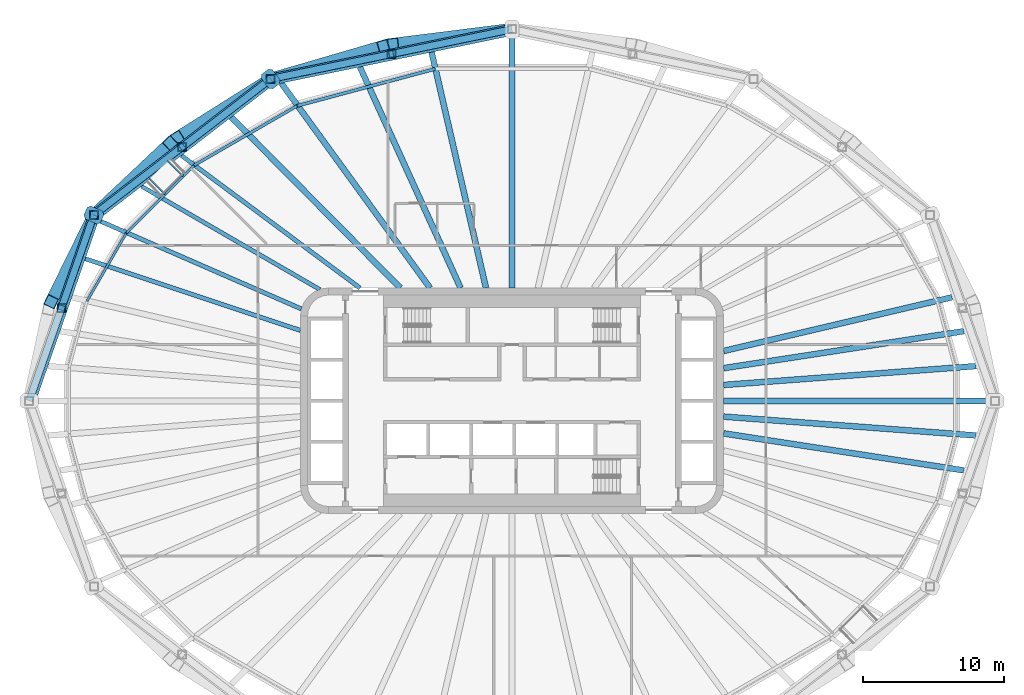
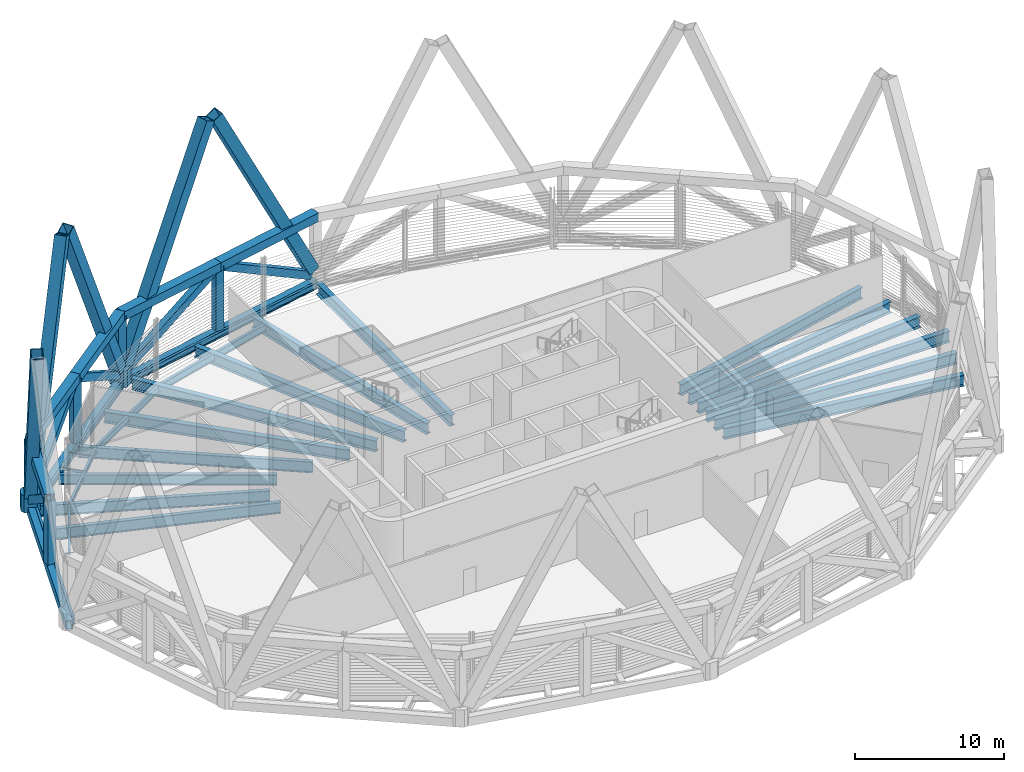
# One storey, part 3 of 18: 27 beams, 22 members.
"""IFC4 building model written with IfcOpenShell, lengths in metres."""

from ifc_helpers import new_model, si_unit, direction, frame, origin, origin_2d, place, context, subcontext, project, spatial, polyline, hollow_rectangle, i_section, outline, extrude, material, material_profile, profile_set, type_object, element, save


model = new_model("IFC4")

# Units and contexts
model_context = context("Model", 3, precision=1e-05, world=origin(), true_north=direction((0.0, 1.0)))
body_context = subcontext(model_context, "Body", "Model", "MODEL_VIEW")
ifc_project = project(units=[si_unit("LENGTHUNIT", "METRE"), si_unit("AREAUNIT", "SQUARE_METRE"), si_unit("VOLUMEUNIT", "CUBIC_METRE"), si_unit("PLANEANGLEUNIT", "RADIAN"), si_unit("MASSUNIT", "GRAM", prefix="KILO")], contexts=[model_context])

# Site, building, storey
site_placement = place(None, origin())
site = spatial("IfcSite", under=ifc_project, at=site_placement, CompositionType="ELEMENT")
building_placement = place(site_placement, origin())
building = spatial("IfcBuilding", under=site, at=building_placement, Name="Sahrelin Media Tower", CompositionType="ELEMENT")
storey_placement = place(building_placement, frame((0.0, 0.0, 148.199951171875)))
storey = spatial("IfcBuildingStorey", under=building, at=storey_placement, Name="L30", CompositionType="ELEMENT", Elevation=148.199951171875)

# Members
ifc_material_1 = material(Name="Steel S460", Category="steel")
ifc_material_profile_1 = material_profile(ifc_material_1, hollow_rectangle(XDim=0.699951171875, YDim=0.699951171875, WallThickness=0.044921875, at=origin_2d()), Name="Belt truss chord BC")
ifc_profile_set_1 = profile_set([ifc_material_profile_1], Name="Steel S460")
member_type_1 = type_object("IfcMemberType", Name="Belt truss chord BC", PredefinedType="CHORD", material=ifc_profile_set_1)
for number, where, z_axis, x_axis, name in (
    (1, (0.0, 26.345703125, 4.900146484375), (-0.979386210613, -0.20199665953, 0.0), (0.20199665953, -0.979386210613, 0.0), "Belt truss member BT06-03-T1"),
    (2, (-8.55712890625, 24.580810546875, 4.900146484375), (-0.979386210613, -0.20199665953, 0.0), (0.20199665953, -0.979386210613, 0.0), "Belt truss member BT06-03-T2"),
):
    element("IfcMember", number, at=place(storey_placement, frame(where, z_axis=z_axis, x_axis=x_axis)), inside=storey, type_object=member_type_1, Name=name, PredefinedType="CHORD", context=body_context, shape_type="SweptSolid", body=[
        extrude(hollow_rectangle(XDim=0.699951171875, YDim=0.699951171875, WallThickness=0.044921875, at=origin_2d()), origin(), (0.0, 0.0, 1.0), 8.7373046875),
    ])
member_1_placement = place(storey_placement, frame((-17.1142578125, 22.81591796875, 4.900146484375), z_axis=(-0.792455186877, -0.609930140911, 0.0), x_axis=(0.609930140911, -0.792455186877, 0.0)))
element("IfcMember", 3, at=member_1_placement, inside=storey, type_object=member_type_1, Name="Belt truss member BT06-04-T1", PredefinedType="CHORD", context=body_context, shape_type="SweptSolid", body=[
    extrude(hollow_rectangle(XDim=0.699951171875, YDim=0.699951171875, WallThickness=0.044921875, at=origin_2d()), origin(), (0.0, 0.0, 1.0), 7.905029296875),
])
member_2_placement = place(storey_placement, frame((-23.378662109375, 17.994384765625, 4.900146484375), z_axis=(-0.792443697113, -0.609945068761, 0.0), x_axis=(0.609945068761, -0.792443697113, 0.0)))
element("IfcMember", 4, at=member_2_placement, inside=storey, type_object=member_type_1, Name="Belt truss member BT06-04-T2", PredefinedType="CHORD", context=body_context, shape_type="SweptSolid", body=[
    extrude(hollow_rectangle(XDim=0.699951171875, YDim=0.699951171875, WallThickness=0.044921875, at=origin_2d()), origin(), (0.0, 0.0, 1.0), 7.90478515625),
])
member_3_placement = place(storey_placement, frame((-29.642822265625, 13.1728515625, 4.900146484375), z_axis=(-0.328781301843, -0.944406086151, 0.0), x_axis=(0.944406086151, -0.328781301843, 0.0)))
element("IfcMember", 5, at=member_3_placement, inside=storey, type_object=member_type_1, Name="Belt truss member BT06-05-T1", PredefinedType="CHORD", context=body_context, shape_type="SweptSolid", body=[
    extrude(hollow_rectangle(XDim=0.699951171875, YDim=0.699951171875, WallThickness=0.044921875, at=origin_2d()), origin(), (0.0, 0.0, 1.0), 6.97412109375),
])
ifc_material_profile_2 = material_profile(ifc_material_1, hollow_rectangle(XDim=0.5, YDim=0.60009765625, WallThickness=0.030029296875, at=origin_2d()), Name="Belt truss diagonal BD")
ifc_profile_set_2 = profile_set([ifc_material_profile_2], Name="Steel S460")
member_type_2 = type_object("IfcMemberType", Name="Belt truss diagonal BD", PredefinedType="BRACE", material=ifc_profile_set_2)
member_4_placement = place(storey_placement, frame((-0.5, 26.24267578125, 0.286376953125), z_axis=(-0.854217177148, -0.176191028569, 0.489152057868), x_axis=(0.202007941811, -0.979383883595, 0.0)))
element("IfcMember", 6, at=member_4_placement, inside=storey, type_object=member_type_2, Name="Belt truss member BT06-03-X1", PredefinedType="BRACE", context=body_context, shape_type="SweptSolid", body=[
    extrude(hollow_rectangle(XDim=0.5, YDim=0.60009765625, WallThickness=0.030029296875, at=origin_2d()), origin(), (0.0, 0.0, 1.0), 9.43212890625),
])
member_5_placement = place(storey_placement, frame((-16.572998046875, 22.927490234375, 0.31005859375), z_axis=(0.854220181394, 0.17618795323, 0.489147919178), x_axis=(-0.20200387828, 0.979384721731, 0.0)))
element("IfcMember", 7, at=member_5_placement, inside=storey, type_object=member_type_2, Name="Belt truss member BT06-03-X2", PredefinedType="BRACE", context=body_context, shape_type="SweptSolid", body=[
    extrude(hollow_rectangle(XDim=0.5, YDim=0.60009765625, WallThickness=0.030029296875, at=origin_2d()), origin(), (0.0, 0.0, 1.0), 9.3837890625),
])
member_6_placement = place(storey_placement, frame((-17.510498046875, 22.510986328125, 0.31005859375), z_axis=(-0.673550356599, -0.518417440385, 0.526852232253), x_axis=(0.609933801011, -0.792452369789, 0.0)))
element("IfcMember", 8, at=member_6_placement, inside=storey, type_object=member_type_2, Name="Belt truss member BT06-04-X1", PredefinedType="BRACE", context=body_context, shape_type="SweptSolid", body=[
    extrude(hollow_rectangle(XDim=0.5, YDim=0.60009765625, WallThickness=0.030029296875, at=origin_2d()), origin(), (0.0, 0.0, 1.0), 8.71240234375),
])
member_7_placement = place(storey_placement, frame((-29.192138671875, 13.519775390625, 0.3525390625), z_axis=(0.673534148891, 0.51841650768, 0.526873869956), x_axis=(-0.609942328801, 0.792445806057, 0.0)))
element("IfcMember", 9, at=member_7_placement, inside=storey, type_object=member_type_2, Name="Belt truss member BT06-04-X2", PredefinedType="BRACE", context=body_context, shape_type="SweptSolid", body=[
    extrude(hollow_rectangle(XDim=0.5, YDim=0.60009765625, WallThickness=0.030029296875, at=origin_2d()), origin(), (0.0, 0.0, 1.0), 8.63134765625),
])
member_8_placement = place(storey_placement, frame((-29.807861328125, 12.69921875, 0.3525390625), z_axis=(-0.269002707075, -0.772750089461, 0.574886808706), x_axis=(0.944413313299, -0.328760541525, 0.0)))
element("IfcMember", 10, at=member_8_placement, inside=storey, type_object=member_type_2, Name="Belt truss member BT06-05-X1", PredefinedType="BRACE", context=body_context, shape_type="SweptSolid", body=[
    extrude(hollow_rectangle(XDim=0.5, YDim=0.60009765625, WallThickness=0.030029296875, at=origin_2d()), origin(), (0.0, 0.0, 1.0), 7.910400390625),
])
ifc_material_profile_3 = material_profile(ifc_material_1, hollow_rectangle(XDim=0.60009765625, YDim=0.60009765625, WallThickness=0.034912109375, at=origin_2d()), Name="Belt truss post BP")
ifc_profile_set_3 = profile_set([ifc_material_profile_3], Name="Steel S460")
member_type_3 = type_object("IfcMemberType", Name="Belt truss post BP", PredefinedType="POST", material=ifc_profile_set_3)
member_9_placement = place(storey_placement, frame((-8.55712890625, 24.580810546875, -0.320068359375), z_axis=(0.0, 0.0, 1.0), x_axis=(1.0, 0.0, 0.0)))
element("IfcMember", 11, at=member_9_placement, inside=storey, type_object=member_type_3, Name="Belt truss member BT06-03-P1", PredefinedType="POST", context=body_context, shape_type="SweptSolid", body=[
    extrude(hollow_rectangle(XDim=0.60009765625, YDim=0.60009765625, WallThickness=0.034912109375, at=origin_2d()), origin(), (0.0, 0.0, 1.0), 5.22021484375),
])
member_10_placement = place(storey_placement, frame((-17.1142578125, 22.81591796875, 0.699951171875), z_axis=(0.0, 0.0, 1.0), x_axis=(1.0, 0.0, 0.0)))
element("IfcMember", 12, at=member_10_placement, inside=storey, type_object=member_type_3, Name="Belt truss member BT06-04-P0", PredefinedType="POST", context=body_context, shape_type="SweptSolid", body=[
    extrude(hollow_rectangle(XDim=0.60009765625, YDim=0.60009765625, WallThickness=0.034912109375, at=origin_2d()), origin(), (0.0, 0.0, 1.0), 4.2001953125),
])
member_11_placement = place(storey_placement, frame((-23.378662109375, 17.994384765625, -0.320068359375), z_axis=(0.0, 0.0, 1.0), x_axis=(1.0, 0.0, 0.0)))
element("IfcMember", 13, at=member_11_placement, inside=storey, type_object=member_type_3, Name="Belt truss member BT06-04-P1", PredefinedType="POST", context=body_context, shape_type="SweptSolid", body=[
    extrude(hollow_rectangle(XDim=0.60009765625, YDim=0.60009765625, WallThickness=0.034912109375, at=origin_2d()), origin(), (0.0, 0.0, 1.0), 5.22021484375),
])
member_12_placement = place(storey_placement, frame((-29.642822265625, 13.1728515625, 0.699951171875), z_axis=(0.0, 0.0, 1.0), x_axis=(1.0, 0.0, 0.0)))
element("IfcMember", 14, at=member_12_placement, inside=storey, type_object=member_type_3, Name="Belt truss member BT06-05-P0", PredefinedType="POST", context=body_context, shape_type="SweptSolid", body=[
    extrude(hollow_rectangle(XDim=0.60009765625, YDim=0.60009765625, WallThickness=0.034912109375, at=origin_2d()), origin(), (0.0, 0.0, 1.0), 4.2001953125),
])
member_13_placement = place(storey_placement, frame((-31.935791015625, 6.58642578125, -0.320068359375), z_axis=(0.0, 0.0, 1.0), x_axis=(1.0, 0.0, 0.0)))
element("IfcMember", 15, at=member_13_placement, inside=storey, type_object=member_type_3, Name="Belt truss member BT06-05-P1", PredefinedType="POST", context=body_context, shape_type="SweptSolid", body=[
    extrude(hollow_rectangle(XDim=0.60009765625, YDim=0.60009765625, WallThickness=0.034912109375, at=origin_2d()), origin(), (0.0, 0.0, 1.0), 5.22021484375),
])
ifc_material_profile_4 = material_profile(ifc_material_1, hollow_rectangle(XDim=0.85009765625, YDim=0.85009765625, WallThickness=0.044921875, at=origin_2d()), Name="Diagrid diagonal DG4")
ifc_profile_set_4 = profile_set([ifc_material_profile_4], Name="Steel S460")
member_type_4 = type_object("IfcMemberType", Name="Diagrid diagonal DG4", PredefinedType="BRACE", material=ifc_profile_set_4)
member_14_placement = place(storey_placement, frame((-0.353515625, 26.30126953125, 0.699951171875), z_axis=(-0.45007404316, -0.056529528278, 0.891200184081), x_axis=(0.124621372618, -0.992204370826, 0.0)))
element("IfcMember", 16, at=member_14_placement, inside=storey, type_object=member_type_4, Name="Diagrid diagonal D06-06", PredefinedType="BRACE", context=body_context, shape_type="SweptSolid", body=[
    extrude(hollow_rectangle(XDim=0.85009765625, YDim=0.85009765625, WallThickness=0.044921875, at=origin_2d()), origin(), (0.0, 0.0, 1.0), 17.953369140625),
])
member_15_placement = place(storey_placement, frame((-16.779296875, 22.91357421875, 0.699951171875), z_axis=(0.428302446582, 0.124777586788, 0.894979088072), x_axis=(-0.279702584075, 0.960086696326, 0.0)))
element("IfcMember", 17, at=member_15_placement, inside=storey, type_object=member_type_4, Name="Diagrid diagonal D06-07", PredefinedType="BRACE", context=body_context, shape_type="SweptSolid", body=[
    extrude(hollow_rectangle(XDim=0.85009765625, YDim=0.85009765625, WallThickness=0.044921875, at=origin_2d()), origin(), (0.0, 0.0, 1.0), 17.87744140625),
])
member_16_placement = place(storey_placement, frame((-17.3916015625, 22.6416015625, 0.699951171875), z_axis=(-0.358790983569, -0.225788733131, 0.905697785192), x_axis=(0.532616119089, -0.846356939882, 0.0)))
element("IfcMember", 18, at=member_16_placement, inside=storey, type_object=member_type_4, Name="Diagrid diagonal D06-08", PredefinedType="BRACE", context=body_context, shape_type="SweptSolid", body=[
    extrude(hollow_rectangle(XDim=0.85009765625, YDim=0.85009765625, WallThickness=0.044921875, at=origin_2d()), origin(), (0.0, 0.0, 1.0), 17.666015625),
])
member_17_placement = place(storey_placement, frame((-29.416259765625, 13.38623046875, 0.699951171875), z_axis=(0.295925654964, 0.278596172767, 0.913680567405), x_axis=(-0.685466340944, 0.728104316313, 0.0)))
element("IfcMember", 19, at=member_17_placement, inside=storey, type_object=member_type_4, Name="Diagrid diagonal D06-09", PredefinedType="BRACE", context=body_context, shape_type="SweptSolid", body=[
    extrude(hollow_rectangle(XDim=0.85009765625, YDim=0.85009765625, WallThickness=0.044921875, at=origin_2d()), origin(), (0.0, 0.0, 1.0), 17.511474609375),
])
member_18_placement = place(storey_placement, frame((-29.769775390625, 12.9150390625, 0.699951171875), z_axis=(-0.167569441572, -0.340756997688, 0.925097373674), x_axis=(0.897366617506, -0.44128579604, 0.0)))
element("IfcMember", 20, at=member_18_placement, inside=storey, type_object=member_type_4, Name="Diagrid diagonal D06-10", PredefinedType="BRACE", context=body_context, shape_type="SweptSolid", body=[
    extrude(hollow_rectangle(XDim=0.85009765625, YDim=0.85009765625, WallThickness=0.044921875, at=origin_2d()), origin(), (0.0, 0.0, 1.0), 17.29541015625),
])
ifc_material_profile_5 = material_profile(ifc_material_1, outline(polyline([(0.449951171875, -0.5), (0.64990234375, -0.300048828125), (0.64990234375, 0.300048828125), (0.449951171875, 0.5), (-0.449951171875, 0.5), (-0.64990234375, 0.300048828125), (-0.64990234375, -0.300048828125), (-0.449951171875, -0.5), (0.449951171875, -0.5)])), Name="Diagrid node block 1300")
ifc_profile_set_5 = profile_set([ifc_material_profile_5], Name="Steel S460")
member_type_5 = type_object("IfcMemberType", Name="Diagrid node block 1300", PredefinedType="USERDEFINED", material=ifc_profile_set_5)
for number, where, z_axis, x_axis, name in (
    (21, (-17.1142578125, 22.81591796875, -0.699951171875), (0.0, 0.0, 1.0), (-0.600051693363, 0.799961227368, 0.0), "Diagrid node N06-04"),
    (22, (-29.642822265625, 13.1728515625, -0.699951171875), (0.0, 0.0, 1.0), (-0.913831317054, 0.40609398416, 0.0), "Diagrid node N06-05"),
):
    element("IfcMember", number, at=place(storey_placement, frame(where, z_axis=z_axis, x_axis=x_axis)), inside=storey, type_object=member_type_5, Name=name, ObjectType="NODE", PredefinedType="USERDEFINED", context=body_context, shape_type="SweptSolid", body=[
        extrude(outline(polyline([(0.449951171875, -0.5), (0.64990234375, -0.300048828125), (0.64990234375, 0.300048828125), (0.449951171875, 0.5), (-0.449951171875, 0.5), (-0.64990234375, 0.300048828125), (-0.64990234375, -0.300048828125), (-0.449951171875, -0.5), (0.449951171875, -0.5)])), origin(), (0.0, 0.0, 1.0), 1.39990234375),
    ])

# Beams
ifc_material_profile_6 = material_profile(ifc_material_1, hollow_rectangle(XDim=0.5, YDim=0.699951171875, WallThickness=0.034912109375, at=origin_2d()), Name="Diagrid ring beam RB2")
ifc_profile_set_6 = profile_set([ifc_material_profile_6], Name="Steel S460")
beam_type_1 = type_object("IfcBeamType", Name="Diagrid ring beam RB2", PredefinedType="BEAM", material=ifc_profile_set_6)
beam_1_placement = place(storey_placement, frame((0.0, 26.345703125, -0.64990234375), z_axis=(-0.979386210613, -0.20199665953, 0.0), x_axis=(0.20199665953, -0.979386210613, 0.0)))
element("IfcBeam", 23, at=beam_1_placement, inside=storey, type_object=beam_type_1, Name="Diagrid ring beam RB06-03", PredefinedType="BEAM", context=body_context, shape_type="SweptSolid", body=[
    extrude(hollow_rectangle(XDim=0.5, YDim=0.699951171875, WallThickness=0.034912109375, at=origin_2d()), origin(), (0.0, 0.0, 1.0), 17.474365234375),
])
beam_2_placement = place(storey_placement, frame((-17.1142578125, 22.81591796875, -0.64990234375), z_axis=(-0.7924494421, -0.609937604772, 0.0), x_axis=(0.609937604772, -0.7924494421, 0.0)))
element("IfcBeam", 24, at=beam_2_placement, inside=storey, type_object=beam_type_1, Name="Diagrid ring beam RB06-04", PredefinedType="BEAM", context=body_context, shape_type="SweptSolid", body=[
    extrude(hollow_rectangle(XDim=0.5, YDim=0.699951171875, WallThickness=0.034912109375, at=origin_2d()), origin(), (0.0, 0.0, 1.0), 15.809814453125),
])
beam_3_placement = place(storey_placement, frame((-29.642822265625, 13.1728515625, -0.64990234375), z_axis=(-0.328781301843, -0.944406086151, 0.0), x_axis=(0.944406086151, -0.328781301843, 0.0)))
element("IfcBeam", 25, at=beam_3_placement, inside=storey, type_object=beam_type_1, Name="Diagrid ring beam RB06-05", PredefinedType="BEAM", context=body_context, shape_type="SweptSolid", body=[
    extrude(hollow_rectangle(XDim=0.5, YDim=0.699951171875, WallThickness=0.034912109375, at=origin_2d()), origin(), (0.0, 0.0, 1.0), 13.9482421875),
])
ifc_material_2 = material(Name="Steel S355", Category="steel")
ifc_material_profile_7 = material_profile(ifc_material_2, i_section(OverallWidth=0.17138671875, OverallDepth=0.35498046875, WebThickness=0.00732421875, FlangeThickness=0.011474609375, FilletRadius=0.01025390625, at=origin_2d()), Name="UB 356x171x51")
ifc_profile_set_7 = profile_set([ifc_material_profile_7], Name="Steel S355")
beam_type_2 = type_object("IfcBeamType", Name="Edge beam EB3", PredefinedType="BEAM", material=ifc_profile_set_7)
beam_4_placement = place(storey_placement, frame((-30.122802734375, 7.077392578125, -0.4775390625), z_axis=(0.499966449638, 0.866044773228, 0.0), x_axis=(-0.866044773228, 0.499966449638, 0.0)))
element("IfcBeam", 26, at=beam_4_placement, inside=storey, type_object=beam_type_2, Name="Edge beam L30-15", PredefinedType="BEAM", context=body_context, shape_type="SweptSolid", body=[
    extrude(i_section(OverallWidth=0.17138671875, OverallDepth=0.35498046875, WebThickness=0.00732421875, FlangeThickness=0.011474609375, FilletRadius=0.01025390625, at=origin_2d()), origin(), (0.0, 0.0, 1.0), 5.54345703125),
])
ifc_material_profile_8 = material_profile(ifc_material_2, i_section(OverallWidth=0.177978515625, OverallDepth=0.406494140625, WebThickness=0.0078125, FlangeThickness=0.0126953125, FilletRadius=0.01025390625, at=origin_2d()), Name="UB 406x178x60")
ifc_profile_set_8 = profile_set([ifc_material_profile_8], Name="Steel S355")
beam_type_3 = type_object("IfcBeamType", Name="Edge beam EB4", PredefinedType="BEAM", material=ifc_profile_set_8)
beam_5_placement = place(storey_placement, frame((-27.333740234375, 11.90087890625, -0.503173828125), z_axis=(0.707106781187, 0.707106781187, 0.0), x_axis=(-0.707106781187, 0.707106781187, 0.0)))
element("IfcBeam", 27, at=beam_5_placement, inside=storey, type_object=beam_type_3, Name="Edge beam L30-16", PredefinedType="BEAM", context=body_context, shape_type="SweptSolid", body=[
    extrude(i_section(OverallWidth=0.177978515625, OverallDepth=0.406494140625, WebThickness=0.0078125, FlangeThickness=0.0126953125, FilletRadius=0.01025390625, at=origin_2d()), origin(), (0.0, 0.0, 1.0), 6.747802734375),
])
ifc_material_profile_9 = material_profile(ifc_material_2, i_section(OverallWidth=0.208740234375, OverallDepth=0.5283203125, WebThickness=0.009521484375, FlangeThickness=0.01318359375, FilletRadius=0.0126953125, at=origin_2d()), Name="UB 533x210x82")
ifc_profile_set_9 = profile_set([ifc_material_profile_9], Name="Steel S355")
beam_type_4 = type_object("IfcBeamType", Name="Edge beam EB6", PredefinedType="BEAM", material=ifc_profile_set_9)
beam_6_placement = place(storey_placement, frame((-22.539306640625, 16.68994140625, -0.564208984375), z_axis=(0.866024877911, 0.500000910839, 0.0), x_axis=(-0.500000910839, 0.866024877911, 0.0)))
element("IfcBeam", 28, at=beam_6_placement, inside=storey, type_object=beam_type_4, Name="Edge beam L30-17", PredefinedType="BEAM", context=body_context, shape_type="SweptSolid", body=[
    extrude(i_section(OverallWidth=0.208740234375, OverallDepth=0.5283203125, WebThickness=0.009521484375, FlangeThickness=0.01318359375, FilletRadius=0.0126953125, at=origin_2d()), origin(), (0.0, 0.0, 1.0), 8.42431640625),
])
ifc_material_profile_10 = material_profile(ifc_material_2, i_section(OverallWidth=0.2275390625, OverallDepth=0.6025390625, WebThickness=0.010498046875, FlangeThickness=0.014892578125, FilletRadius=0.0126953125, at=origin_2d()), Name="UB 610x229x101")
ifc_profile_set_10 = profile_set([ifc_material_profile_10], Name="Steel S355")
beam_type_5 = type_object("IfcBeamType", Name="Edge beam EB7", PredefinedType="BEAM", material=ifc_profile_set_10)
beam_7_placement = place(storey_placement, frame((-15.217041015625, 20.9130859375, -0.601318359375), z_axis=(0.965922278313, 0.258832285968, 0.0), x_axis=(-0.258832285968, 0.965922278313, 0.0)))
element("IfcBeam", 29, at=beam_7_placement, inside=storey, type_object=beam_type_5, Name="Edge beam L30-18", PredefinedType="BEAM", context=body_context, shape_type="SweptSolid", body=[
    extrude(i_section(OverallWidth=0.2275390625, OverallDepth=0.6025390625, WebThickness=0.010498046875, FlangeThickness=0.014892578125, FilletRadius=0.0126953125, at=origin_2d()), origin(), (0.0, 0.0, 1.0), 10.10595703125),
])
ifc_material_profile_11 = material_profile(ifc_material_2, hollow_rectangle(XDim=0.10009765625, YDim=0.199951171875, WallThickness=0.008056640625, at=origin_2d()), Name="RHS 200x100x8")
ifc_profile_set_11 = profile_set([ifc_material_profile_11], Name="Steel S355")
beam_type_6 = type_object("IfcBeamType", Name="Platform support beam", PredefinedType="BEAM", material=ifc_profile_set_11)
for number, where, z_axis, x_axis, name in (
    (30, (-23.324462890625, 15.915771484375, -0.39990234375), (-0.707106781187, 0.707106781187, 0.0), (-0.707106781187, -0.707106781187, 0.0), "Platform support beam L30-09"),
    (31, (-24.597412109375, 14.64306640625, -0.39990234375), (-0.707028600328, 0.707184953402, 0.0), (-0.707184953402, -0.707028600328, 0.0), "Platform support beam L30-09"),
):
    element("IfcBeam", number, at=place(storey_placement, frame(where, z_axis=z_axis, x_axis=x_axis)), inside=storey, type_object=beam_type_6, Name=name, PredefinedType="BEAM", context=body_context, shape_type="SweptSolid", body=[
        extrude(hollow_rectangle(XDim=0.10009765625, YDim=0.199951171875, WallThickness=0.008056640625, at=origin_2d()), origin(), (0.0, 0.0, 1.0), 1.5615234375),
    ])
ifc_material_profile_12 = material_profile(ifc_material_2, i_section(OverallWidth=0.30322265625, OverallDepth=0.903076171875, WebThickness=0.01513671875, FlangeThickness=0.020263671875, FilletRadius=0.01904296875, at=origin_2d()), Name="UB 914x305x201")
ifc_profile_set_12 = profile_set([ifc_material_profile_12], Name="Steel S355")
beam_type_7 = type_object("IfcBeamType", Name="Radial primary beam PB11", PredefinedType="BEAM", material=ifc_profile_set_12)
beam_8_placement = place(storey_placement, frame((-10.78125, 8.0, -0.75146484375), z_axis=(-0.803053778037, 0.595906561116, 0.0), x_axis=(-0.595906561116, -0.803053778037, 0.0)))
element("IfcBeam", 32, at=beam_8_placement, inside=storey, type_object=beam_type_7, Name="Radial beam L30-09", PredefinedType="BEAM", context=body_context, shape_type="SweptSolid", body=[
    extrude(i_section(OverallWidth=0.30322265625, OverallDepth=0.903076171875, WebThickness=0.01513671875, FlangeThickness=0.020263671875, FilletRadius=0.01904296875, at=origin_2d()), origin(), (0.0, 0.0, 1.0), 15.756591796875),
])
beam_9_placement = place(storey_placement, frame((-14.93212890625, 6.51513671875, -0.75146484375), z_axis=(-0.916561684776, 0.399893333279, 0.0), x_axis=(-0.399893333279, -0.916561684776, 0.0)))
element("IfcBeam", 33, at=beam_9_placement, inside=storey, type_object=beam_type_7, Name="Radial beam L30-10", PredefinedType="BEAM", context=body_context, shape_type="SweptSolid", body=[
    extrude(i_section(OverallWidth=0.30322265625, OverallDepth=0.903076171875, WebThickness=0.01513671875, FlangeThickness=0.020263671875, FilletRadius=0.01904296875, at=origin_2d()), origin(), (0.0, 0.0, 1.0), 15.682373046875),
])
ifc_material_profile_13 = material_profile(ifc_material_2, i_section(OverallWidth=0.41845703125, OverallDepth=0.911865234375, WebThickness=0.019287109375, FlangeThickness=0.031982421875, FilletRadius=0.024169921875, at=origin_2d()), Name="UB 914x419x343")
ifc_profile_set_13 = profile_set([ifc_material_profile_13], Name="Steel S355")
beam_type_8 = type_object("IfcBeamType", Name="Radial primary beam PB12", PredefinedType="BEAM", material=ifc_profile_set_13)
beam_10_placement = place(storey_placement, frame((15.0, 1.121337890625, -0.755859375), z_axis=(0.997217689834, 0.07454447721, 0.0), x_axis=(-0.07454447721, 0.997217689834, 0.0)))
element("IfcBeam", 34, at=beam_10_placement, inside=storey, type_object=beam_type_8, Name="Radial beam L30-01", PredefinedType="BEAM", context=body_context, shape_type="SweptSolid", body=[
    extrude(i_section(OverallWidth=0.41845703125, OverallDepth=0.911865234375, WebThickness=0.019287109375, FlangeThickness=0.031982421875, FilletRadius=0.024169921875, at=origin_2d()), origin(), (0.0, 0.0, 1.0), 17.950927734375),
])
beam_11_placement = place(storey_placement, frame((15.0, 3.529541015625, -0.755859375), z_axis=(0.973414282612, 0.229051597694, 0.0), x_axis=(-0.229051597694, 0.973414282612, 0.0)))
element("IfcBeam", 35, at=beam_11_placement, inside=storey, type_object=beam_type_8, Name="Radial beam L30-02", PredefinedType="BEAM", context=body_context, shape_type="SweptSolid", body=[
    extrude(i_section(OverallWidth=0.41845703125, OverallDepth=0.911865234375, WebThickness=0.019287109375, FlangeThickness=0.031982421875, FilletRadius=0.024169921875, at=origin_2d()), origin(), (0.0, 0.0, 1.0), 16.6435546875),
])
beam_12_placement = place(storey_placement, frame((-1.8447265625, 8.0, -0.755859375), z_axis=(-0.224709827661, 0.974425724903, 0.0), x_axis=(-0.974425724903, -0.224709827661, 0.0)))
element("IfcBeam", 36, at=beam_12_placement, inside=storey, type_object=beam_type_8, Name="Radial beam L30-07", PredefinedType="BEAM", context=body_context, shape_type="SweptSolid", body=[
    extrude(i_section(OverallWidth=0.41845703125, OverallDepth=0.911865234375, WebThickness=0.019287109375, FlangeThickness=0.031982421875, FilletRadius=0.024169921875, at=origin_2d()), origin(), (0.0, 0.0, 1.0), 17.154296875),
])
beam_13_placement = place(storey_placement, frame((-5.810791015625, 8.0, -0.755859375), z_axis=(-0.587686175415, 0.809088968672, 0.0), x_axis=(-0.809088968672, -0.587686175415, 0.0)))
element("IfcBeam", 37, at=beam_13_placement, inside=storey, type_object=beam_type_8, Name="Radial beam L30-08", PredefinedType="BEAM", context=body_context, shape_type="SweptSolid", body=[
    extrude(i_section(OverallWidth=0.41845703125, OverallDepth=0.911865234375, WebThickness=0.019287109375, FlangeThickness=0.031982421875, FilletRadius=0.024169921875, at=origin_2d()), origin(), (0.0, 0.0, 1.0), 17.943115234375),
])
beam_14_placement = place(storey_placement, frame((15.0, -1.121337890625, -0.755859375), z_axis=(0.997217689834, -0.07454447721, 0.0), x_axis=(0.07454447721, 0.997217689834, 0.0)))
element("IfcBeam", 38, at=beam_14_placement, inside=storey, type_object=beam_type_8, Name="Radial beam L30-24", PredefinedType="BEAM", context=body_context, shape_type="SweptSolid", body=[
    extrude(i_section(OverallWidth=0.41845703125, OverallDepth=0.911865234375, WebThickness=0.019287109375, FlangeThickness=0.031982421875, FilletRadius=0.024169921875, at=origin_2d()), origin(), (0.0, 0.0, 1.0), 17.950927734375),
])
ifc_material_profile_14 = material_profile(ifc_material_2, i_section(OverallWidth=0.291748046875, OverallDepth=0.8349609375, WebThickness=0.013916015625, FlangeThickness=0.018798828125, FilletRadius=0.017822265625, at=origin_2d()), Name="UB 838x292x176")
ifc_profile_set_14 = profile_set([ifc_material_profile_14], Name="Steel S355")
beam_type_9 = type_object("IfcBeamType", Name="Radial secondary beam SB10", PredefinedType="BEAM", material=ifc_profile_set_14)
beam_15_placement = place(storey_placement, frame((-13.622314453125, 7.888427734375, -0.717529296875), z_axis=(-0.865372129268, 0.501129801435, 0.0), x_axis=(-0.501129801435, -0.865372129268, 0.0)))
element("IfcBeam", 39, at=beam_15_placement, inside=storey, type_object=beam_type_9, Name="Secondary beam L30-09", PredefinedType="BEAM", context=body_context, shape_type="SweptSolid", body=[
    extrude(i_section(OverallWidth=0.291748046875, OverallDepth=0.8349609375, WebThickness=0.013916015625, FlangeThickness=0.018798828125, FilletRadius=0.017822265625, at=origin_2d()), origin(), (0.0, 0.0, 1.0), 14.610595703125),
])
ifc_material_profile_15 = material_profile(ifc_material_2, i_section(OverallWidth=0.30322265625, OverallDepth=0.903076171875, WebThickness=0.01513671875, FlangeThickness=0.020263671875, FilletRadius=0.01904296875, at=origin_2d()), Name="UB 914x305x201")
ifc_profile_set_15 = profile_set([ifc_material_profile_15], Name="Steel S355")
beam_type_10 = type_object("IfcBeamType", Name="Radial secondary beam SB11", PredefinedType="BEAM", material=ifc_profile_set_15)
beam_16_placement = place(storey_placement, frame((-15.0, 4.99169921875, -0.75146484375), z_axis=(-0.948835067855, 0.315772091876, 0.0), x_axis=(-0.315772091876, -0.948835067855, 0.0)))
element("IfcBeam", 40, at=beam_16_placement, inside=storey, type_object=beam_type_10, Name="Secondary beam L30-10", PredefinedType="BEAM", context=body_context, shape_type="SweptSolid", body=[
    extrude(i_section(OverallWidth=0.30322265625, OverallDepth=0.903076171875, WebThickness=0.01513671875, FlangeThickness=0.020263671875, FilletRadius=0.01904296875, at=origin_2d()), origin(), (0.0, 0.0, 1.0), 16.07470703125),
])
ifc_material_profile_16 = material_profile(ifc_material_2, i_section(OverallWidth=0.41845703125, OverallDepth=0.911865234375, WebThickness=0.019287109375, FlangeThickness=0.031982421875, FilletRadius=0.024169921875, at=origin_2d()), Name="UB 914x419x343")
ifc_profile_set_16 = profile_set([ifc_material_profile_16], Name="Steel S355")
beam_type_11 = type_object("IfcBeamType", Name="Radial secondary beam SB12", PredefinedType="BEAM", material=ifc_profile_set_16)
beam_17_placement = place(storey_placement, frame((15.0, 2.310791015625, -0.755859375), z_axis=(0.98833778399, 0.152277459719, 0.0), x_axis=(-0.152277459719, 0.98833778399, 0.0)))
element("IfcBeam", 41, at=beam_17_placement, inside=storey, type_object=beam_type_11, Name="Secondary beam L30-01", PredefinedType="BEAM", context=body_context, shape_type="SweptSolid", body=[
    extrude(i_section(OverallWidth=0.41845703125, OverallDepth=0.911865234375, WebThickness=0.019287109375, FlangeThickness=0.031982421875, FilletRadius=0.024169921875, at=origin_2d()), origin(), (0.0, 0.0, 1.0), 17.239990234375),
])
beam_18_placement = place(storey_placement, frame((0.0, 8.0, -0.755859375), z_axis=(0.0, 1.0, 0.0), x_axis=(-1.0, 0.0, 0.0)))
element("IfcBeam", 42, at=beam_18_placement, inside=storey, type_object=beam_type_11, Name="Secondary beam L30-06", PredefinedType="BEAM", context=body_context, shape_type="SweptSolid", body=[
    extrude(i_section(OverallWidth=0.41845703125, OverallDepth=0.911865234375, WebThickness=0.019287109375, FlangeThickness=0.031982421875, FilletRadius=0.024169921875, at=origin_2d()), origin(), (0.0, 0.0, 1.0), 17.890869140625),
])
beam_19_placement = place(storey_placement, frame((-3.64404296875, 8.0, -0.755859375), z_axis=(-0.414519724736, 0.910040327571, 0.0), x_axis=(-0.910040327571, -0.414519724736, 0.0)))
element("IfcBeam", 43, at=beam_19_placement, inside=storey, type_object=beam_type_11, Name="Secondary beam L30-07", PredefinedType="BEAM", context=body_context, shape_type="SweptSolid", body=[
    extrude(i_section(OverallWidth=0.41845703125, OverallDepth=0.911865234375, WebThickness=0.019287109375, FlangeThickness=0.031982421875, FilletRadius=0.024169921875, at=origin_2d()), origin(), (0.0, 0.0, 1.0), 17.21630859375),
])
beam_20_placement = place(storey_placement, frame((-7.9189453125, 8.0, -0.755859375), z_axis=(-0.703486115933, 0.710709001413, 0.0), x_axis=(-0.710709001413, -0.703486115933, 0.0)))
element("IfcBeam", 44, at=beam_20_placement, inside=storey, type_object=beam_type_11, Name="Secondary beam L30-08", PredefinedType="BEAM", context=body_context, shape_type="SweptSolid", body=[
    extrude(i_section(OverallWidth=0.41845703125, OverallDepth=0.911865234375, WebThickness=0.019287109375, FlangeThickness=0.031982421875, FilletRadius=0.024169921875, at=origin_2d()), origin(), (0.0, 0.0, 1.0), 17.03564453125),
])
beam_21_placement = place(storey_placement, frame((15.0, -2.310791015625, -0.755859375), z_axis=(0.98833778399, -0.152277459719, 0.0), x_axis=(0.152277459719, 0.98833778399, 0.0)))
element("IfcBeam", 45, at=beam_21_placement, inside=storey, type_object=beam_type_11, Name="Secondary beam L30-23", PredefinedType="BEAM", context=body_context, shape_type="SweptSolid", body=[
    extrude(i_section(OverallWidth=0.41845703125, OverallDepth=0.911865234375, WebThickness=0.019287109375, FlangeThickness=0.031982421875, FilletRadius=0.024169921875, at=origin_2d()), origin(), (0.0, 0.0, 1.0), 17.239990234375),
])
beam_22_placement = place(storey_placement, frame((15.0, 0.0, -0.755859375), z_axis=(1.0, 0.0, 0.0), x_axis=(0.0, 1.0, 0.0)))
element("IfcBeam", 46, at=beam_22_placement, inside=storey, type_object=beam_type_11, Name="Secondary beam L30-24", PredefinedType="BEAM", context=body_context, shape_type="SweptSolid", body=[
    extrude(i_section(OverallWidth=0.41845703125, OverallDepth=0.911865234375, WebThickness=0.019287109375, FlangeThickness=0.031982421875, FilletRadius=0.024169921875, at=origin_2d()), origin(), (0.0, 0.0, 1.0), 18.757080078125),
])
ifc_material_profile_17 = material_profile(ifc_material_2, i_section(OverallWidth=0.1904296875, OverallDepth=0.45703125, WebThickness=0.009033203125, FlangeThickness=0.014404296875, FilletRadius=0.01025390625, at=origin_2d()), Name="UB 457x191x74")
ifc_profile_set_17 = profile_set([ifc_material_profile_17], Name="Steel S355")
beam_type_12 = type_object("IfcBeamType", Name="Tie chord TC5", PredefinedType="BEAM", material=ifc_profile_set_17)
beam_23_placement = place(storey_placement, frame((-33.85791015625, 0.0, -0.528564453125), z_axis=(0.328780773627, 0.944406270041, 0.0), x_axis=(-0.944406270041, 0.328780773627, 0.0)))
element("IfcBeam", 47, at=beam_23_placement, inside=storey, type_object=beam_type_12, Name="Tie chord L30-07", PredefinedType="BEAM", context=body_context, shape_type="SweptSolid", body=[
    extrude(i_section(OverallWidth=0.1904296875, OverallDepth=0.45703125, WebThickness=0.009033203125, FlangeThickness=0.014404296875, FilletRadius=0.01025390625, at=origin_2d()), origin(), (0.0, 0.0, 1.0), 13.721923828125),
])
beam_24_placement = place(storey_placement, frame((-29.346435546875, 12.958984375, -0.528564453125), z_axis=(0.792445049932, 0.609943311167, 0.0), x_axis=(-0.609943311167, 0.792445049932, 0.0)))
element("IfcBeam", 48, at=beam_24_placement, inside=storey, type_object=beam_type_12, Name="Tie chord L30-08", PredefinedType="BEAM", context=body_context, shape_type="SweptSolid", body=[
    extrude(i_section(OverallWidth=0.1904296875, OverallDepth=0.45703125, WebThickness=0.009033203125, FlangeThickness=0.014404296875, FilletRadius=0.01025390625, at=origin_2d()), origin(), (0.0, 0.0, 1.0), 15.624755859375),
])
beam_25_placement = place(storey_placement, frame((-16.964599609375, 22.4892578125, -0.528564453125), z_axis=(0.979387799512, 0.201988955557, 0.0), x_axis=(-0.201988955557, 0.979387799512, 0.0)))
element("IfcBeam", 49, at=beam_25_placement, inside=storey, type_object=beam_type_12, Name="Tie chord L30-09", PredefinedType="BEAM", context=body_context, shape_type="SweptSolid", body=[
    extrude(i_section(OverallWidth=0.1904296875, OverallDepth=0.45703125, WebThickness=0.009033203125, FlangeThickness=0.014404296875, FilletRadius=0.01025390625, at=origin_2d()), origin(), (0.0, 0.0, 1.0), 17.321533203125),
])

save(model, "model.ifc")
